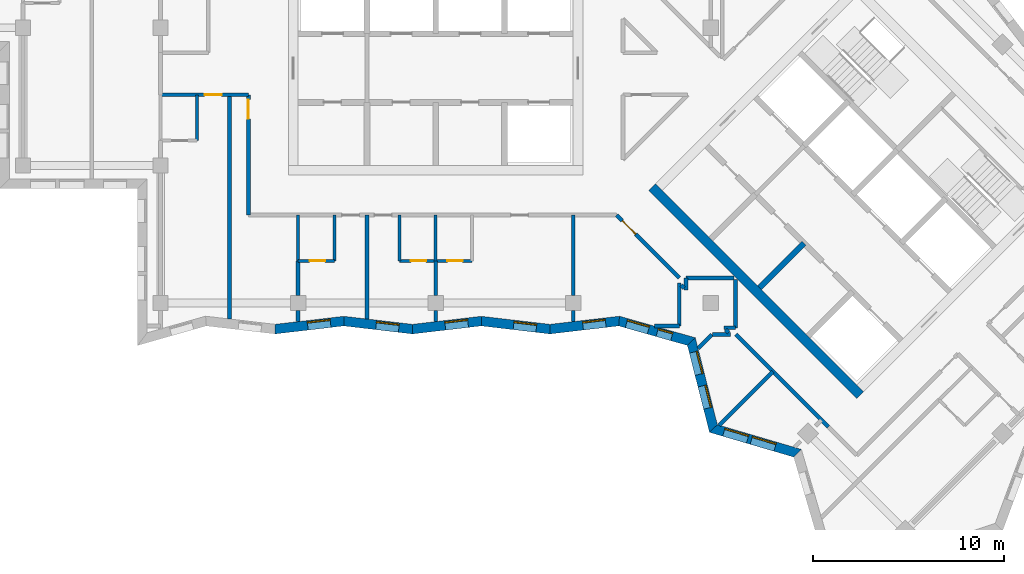
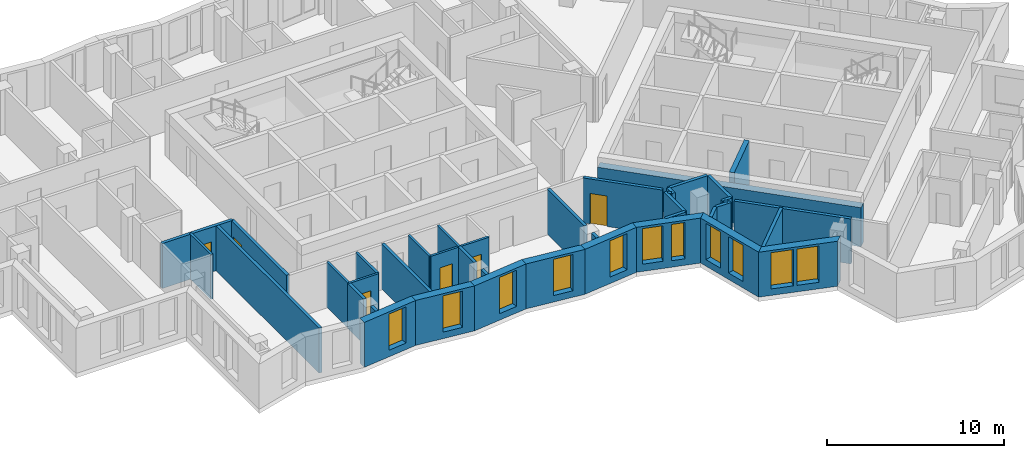
# One storey, part 3 of 13: 40 walls, 11 windows, 6 doors, 17 openings.
"""IFC4 building model written with IfcOpenShell, lengths in metres."""

import ifcopenshell
import ifcopenshell.guid

model = None  # the IFC model being written
_history = None  # IfcOwnerHistory: only IFC2X3 demands one
_inside = {}  # id of a spatial element -> (the spatial element, [elements in it])
_under = {}  # id of a project, library or spatial element -> (it, [spatial elements below it])
_declared = {}  # id of a project -> (the project, [libraries it declares])
_typed = {}  # id of a type object -> (the type object, [elements of that type])
_made_of = {}  # id of a material, layer set ... -> (it, [elements and type objects made of it])


def new_model(schema):
    """Start an empty IFC model of exactly this schema.

    Asked for "IFC4X3", IfcOpenShell would pick the latest addendum, in which some entities
    have other attributes; the version numbers below select the first issue.
    IFC2X3 requires an IfcOwnerHistory on every rooted entity: one is made here for all.
    """
    global model, _history
    if schema == "IFC4X3":
        model = ifcopenshell.file(schema_version=(4, 3, 0, 0))
    else:
        model = ifcopenshell.file(schema=schema)
    _inside.clear()
    _under.clear()
    _declared.clear()
    _typed.clear()
    _made_of.clear()
    _history = None
    if model.schema == "IFC2X3":
        org = make("IfcOrganization", Name="unknown")
        user = make(
            "IfcPersonAndOrganization",
            ThePerson=make("IfcPerson", FamilyName="unknown"),
            TheOrganization=org,
        )
        app = make(
            "IfcApplication",
            ApplicationDeveloper=org,
            Version="unknown",
            ApplicationFullName="unknown",
            ApplicationIdentifier="unknown",
        )
        _history = make(
            "IfcOwnerHistory",
            OwningUser=user,
            OwningApplication=app,
            ChangeAction="ADDED",
            CreationDate=0,
        )
    return model


def make(cls, **values):
    """One entity of the class cls with the attributes given. An attribute that is None is left unset."""
    return model.create_entity(
        cls, **{name: value for name, value in values.items() if value is not None}
    )


def rooted(cls, **values):
    """An entity with a GlobalId (a new one), such as an element, a storey or a relation."""
    return make(cls, GlobalId=ifcopenshell.guid.new(), OwnerHistory=_history, **values)


def si_unit(unit_type, name, prefix=None):
    """IfcSIUnit, for example si_unit("LENGTHUNIT", "METRE", prefix="MILLI")."""
    return make("IfcSIUnit", UnitType=unit_type, Prefix=prefix, Name=name)


def assignment(units):
    """IfcUnitAssignment: the units of a project."""
    return None if units is None else make("IfcUnitAssignment", Units=units)


def point(xyz):
    """IfcCartesianPoint."""
    return None if xyz is None else make("IfcCartesianPoint", Coordinates=xyz)


def direction(xyz):
    """IfcDirection."""
    return None if xyz is None else make("IfcDirection", DirectionRatios=xyz)


def frame(location, z_axis=None, x_axis=None):
    """IfcAxis2Placement3D, a coordinate frame: its origin and axes. An axis left out is left unset."""
    return make(
        "IfcAxis2Placement3D",
        Location=point(location),
        Axis=direction(z_axis),
        RefDirection=direction(x_axis),
    )


def frame_2d(location, x_axis=None):
    """IfcAxis2Placement2D, a coordinate frame in the plane: its origin and x axis."""
    return make(
        "IfcAxis2Placement2D", Location=point(location), RefDirection=direction(x_axis)
    )


def origin():
    """The frame at (0, 0, 0) with its axes left unset."""
    return frame((0.0, 0.0, 0.0))


def place(relative_to, where):
    """IfcLocalPlacement: puts the frame where relative to a parent placement (None: the world)."""
    return make(
        "IfcLocalPlacement", PlacementRelTo=relative_to, RelativePlacement=where
    )


def context(
    kind, dimensions, precision=None, world=None, true_north=None, identifier=None
):
    """IfcGeometricRepresentationContext, for example the 3D "Model" context."""
    return make(
        "IfcGeometricRepresentationContext",
        ContextIdentifier=identifier,
        ContextType=kind,
        CoordinateSpaceDimension=dimensions,
        Precision=precision,
        WorldCoordinateSystem=world,
        TrueNorth=true_north,
    )


def subcontext(parent, identifier, kind, view, scale=None):
    """IfcGeometricRepresentationSubContext, for example "Body" below "Model"."""
    return make(
        "IfcGeometricRepresentationSubContext",
        ContextIdentifier=identifier,
        ContextType=kind,
        ParentContext=parent,
        TargetScale=scale,
        TargetView=view,
    )


def project(units=None, contexts=None):
    """IfcProject with its units and contexts."""
    return rooted(
        "IfcProject",
        Name="project",
        RepresentationContexts=contexts,
        UnitsInContext=assignment(units),
    )


def spatial(cls, under=None, at=None, **own):
    """A site, building, storey or space (cls), placed at a placement, below another one or the project."""
    s = rooted(cls, ObjectPlacement=at, **own)
    if under is not None:
        _under.setdefault(under.id(), (under, []))[1].append(s)
    return s


def polyline(points):
    """IfcPolyline through the points."""
    return make("IfcPolyline", Points=[point(p) for p in points])


def profile(cls, at=None, kind="AREA", **sizes):
    """A parametric profile (cls). Its sizes go by their IFC names, for example OverallWidth=200.0."""
    return make(cls, ProfileType=kind, Position=at, **sizes)


def rectangle(**sizes):
    """IfcRectangleProfileDef."""
    return profile("IfcRectangleProfileDef", **sizes)


def outline(outer, holes=None, kind="AREA"):
    """IfcArbitraryClosedProfileDef: a profile drawn as a closed curve; with holes, ...WithVoids."""
    if holes is None:
        return make("IfcArbitraryClosedProfileDef", ProfileType=kind, OuterCurve=outer)
    return make(
        "IfcArbitraryProfileDefWithVoids",
        ProfileType=kind,
        OuterCurve=outer,
        InnerCurves=holes,
    )


def extrude(swept, where, along, depth):
    """IfcExtrudedAreaSolid: the profile swept, set in the frame where, extruded along a direction by depth."""
    return make(
        "IfcExtrudedAreaSolid",
        SweptArea=swept,
        Position=where,
        ExtrudedDirection=direction(along),
        Depth=depth,
    )


def shape(context_of_items, identifier, shape_type, items):
    """IfcShapeRepresentation: the items that make up one representation, for example the "Body"."""
    return make(
        "IfcShapeRepresentation",
        ContextOfItems=context_of_items,
        RepresentationIdentifier=identifier,
        RepresentationType=shape_type,
        Items=items,
    )


def material(Name=None, Category=None):
    """IfcMaterial."""
    return make("IfcMaterial", Name=Name, Category=Category)


def layer(
    of_material, thickness, ventilated=None, Name=None, Category=None, Priority=None
):
    """IfcMaterialLayer: one layer of a wall or slab, of a material (None: an air gap)."""
    return make(
        "IfcMaterialLayer",
        Material=of_material,
        LayerThickness=thickness,
        IsVentilated=ventilated,
        Name=Name,
        Category=Category,
        Priority=Priority,
    )


def layer_set(layers, Name=None):
    """IfcMaterialLayerSet."""
    return make("IfcMaterialLayerSet", MaterialLayers=layers, LayerSetName=Name)


def made_of(thing, what):
    """Note that an element or type object is made of a material, layer set ...; save() writes the relation."""
    if what is not None:
        _made_of.setdefault(what.id(), (what, []))[1].append(thing)
    return thing


def type_object(cls, material=None, **own):
    """A type object (cls), such as IfcWallType, which elements share."""
    return made_of(rooted(cls, **own), material)


def element(
    cls,
    number,
    at=None,
    inside=None,
    cuts=None,
    type_object=None,
    material=None,
    context=None,
    identifier="Body",
    shape_type=None,
    held_by="IfcProductDefinitionShape",
    body=None,
    shapes=None,
    **own,
):
    """One element of the class cls, such as IfcWall. Its Tag is "e" and its number.

    at: its placement. inside: the storey or other place that contains it. cuts: it is an
    opening in that element (IfcRelVoidsElement). A single representation is given by context,
    identifier, shape_type and body (its items); several are given by shapes. held_by: the class
    of the entity that holds the representations. save() writes the other relations.
    """
    e = rooted(cls, Tag="e%d" % number, ObjectPlacement=at, **own)
    if body is not None:
        shapes = [shape(context, identifier, shape_type, body)]
    if shapes is not None:
        e.Representation = make(held_by, Representations=shapes)
    if inside is not None:
        _inside.setdefault(inside.id(), (inside, []))[1].append(e)
    if cuts is not None:
        rooted(
            "IfcRelVoidsElement", RelatingBuildingElement=cuts, RelatedOpeningElement=e
        )
    if type_object is not None:
        _typed.setdefault(type_object.id(), (type_object, []))[1].append(e)
    return made_of(e, material)


def fill(opening, filler):
    """IfcRelFillsElement: the door or window that sits in an opening."""
    return rooted(
        "IfcRelFillsElement",
        RelatingOpeningElement=opening,
        RelatedBuildingElement=filler,
    )


def aggregate(whole, parts):
    """IfcRelAggregates: a whole, such as a stair, and the parts it consists of."""
    return rooted("IfcRelAggregates", RelatingObject=whole, RelatedObjects=parts)


def save(model, path):
    """Write the relations noted so far, then the file.

    IfcRelAggregates (storeys below a building ...), IfcRelContainedInSpatialStructure (elements
    in a storey), IfcRelDefinesByType, IfcRelAssociatesMaterial and IfcRelDeclares: one each for
    every whole, place, type object, material and project.
    """
    for whole, parts in _under.values():
        aggregate(whole, parts)
    for where, things in _inside.values():
        rooted(
            "IfcRelContainedInSpatialStructure",
            RelatedElements=things,
            RelatingStructure=where,
        )
    for kind, things in _typed.values():
        rooted("IfcRelDefinesByType", RelatedObjects=things, RelatingType=kind)
    for what, things in _made_of.values():
        rooted("IfcRelAssociatesMaterial", RelatedObjects=things, RelatingMaterial=what)
    for by, libraries in _declared.values():
        rooted("IfcRelDeclares", RelatingContext=by, RelatedDefinitions=libraries)
    model.write(path)


model = new_model("IFC4")

# Units and contexts
model_context = context("Model", 3, precision=1e-05, world=origin(), true_north=direction((0.0, 1.0)))
body_context = subcontext(model_context, "Body", "Model", "MODEL_VIEW")
ifc_project = project(units=[si_unit("LENGTHUNIT", "METRE"), si_unit("AREAUNIT", "SQUARE_METRE"), si_unit("VOLUMEUNIT", "CUBIC_METRE"), si_unit("PLANEANGLEUNIT", "RADIAN"), si_unit("MASSUNIT", "GRAM", prefix="KILO")], contexts=[model_context])

# Site, building, storey
site_placement = place(None, origin())
site = spatial("IfcSite", under=ifc_project, at=site_placement, CompositionType="ELEMENT")
building_placement = place(site_placement, origin())
building = spatial("IfcBuilding", under=site, at=building_placement, Name="Windrow Commons", CompositionType="ELEMENT")
storey_placement = place(building_placement, frame((0.0, 0.0, 203.2)))
storey = spatial("IfcBuildingStorey", under=building, at=storey_placement, Name="L55", CompositionType="ELEMENT", Elevation=203.2)

# Wall, opening, window
ifc_material_1 = material(Name="Brick masonry, red clay brick", Category="masonry")
ifc_layer_1 = layer(ifc_material_1, 0.5)
ifc_layer_set_1 = layer_set([ifc_layer_1], Name="Brick facade wall 500")
wall_type_1 = type_object("IfcWallType", Name="Brick facade wall 500", PredefinedType="SOLIDWALL", material=ifc_layer_set_1)
wall_1_placement = place(storey_placement, frame((56.3942, 41.8307, 0.0), z_axis=(0.0, 0.0, 1.0), x_axis=(0.9932205385, 0.1162452661, 0.0)))
wall_1 = element("IfcWall", 1, at=wall_1_placement, inside=storey, type_object=wall_type_1, Name="Brick facade wall L55 42", PredefinedType="SOLIDWALL", context=body_context, shape_type="SweptSolid", body=[
    extrude(outline(polyline([(-0.0293, -0.25), (3.5924, -0.25), (3.6509, 0.25), (0.0293, 0.25), (-0.0293, -0.25)])), origin(), (0.0, 0.0, 1.0), 3.1),
])
opening_1_placement = place(wall_1_placement, frame((1.7178, 0.0, 0.45)))
opening_1 = element("IfcOpeningElement", 2, at=opening_1_placement, cuts=wall_1, Name="Opening W7E", PredefinedType="OPENING", context=body_context, shape_type="SweptSolid", body=[
    extrude(rectangle(XDim=1.2, YDim=2.5, at=frame_2d((0.6, 1.25))), frame((0.0, 0.26, 0.0), z_axis=(0.0, -1.0, 0.0), x_axis=(1.0, 0.0, 0.0)), (0.0, 0.0, 1.0), 0.52),
])
ifc_material_2 = material(Name="Clear float glass in anodised aluminium frame", Category="aluminium")
window_type_1 = type_object("IfcWindowType", Name="Window W7 notch 1200x2500", PartitioningType="SINGLE_PANEL", PredefinedType="WINDOW", material=ifc_material_2)
window_1_placement = place(opening_1_placement, origin())
window_1 = element("IfcWindow", 3, at=window_1_placement, inside=storey, type_object=window_type_1, Name="Window L55 42.1", OverallHeight=2.5, OverallWidth=1.2, PartitioningType="SINGLE_PANEL", PredefinedType="WINDOW", context=body_context, shape_type="SweptSolid", body=[
    extrude(rectangle(XDim=1.2, YDim=2.5, at=frame_2d((0.6, 1.25))), frame((0.0, 0.18, 0.0), z_axis=(0.0, -1.0, 0.0), x_axis=(1.0, 0.0, 0.0)), (0.0, 0.0, 1.0), 0.06),
])
fill(opening_1, window_1)

wall_2_placement = place(storey_placement, frame((59.9913, 42.2517, 0.0), z_axis=(0.0, 0.0, 1.0), x_axis=(0.9932209116, -0.1162420782, 0.0)))
wall_2 = element("IfcWall", 4, at=wall_2_placement, inside=storey, type_object=wall_type_1, Name="Brick facade wall L55 43", PredefinedType="SOLIDWALL", context=body_context, shape_type="SweptSolid", body=[
    extrude(outline(polyline([(0.0293, -0.25), (3.6509, -0.25), (3.5924, 0.25), (-0.0293, 0.25), (0.0293, -0.25)])), origin(), (0.0, 0.0, 1.0), 3.1),
])
opening_2_placement = place(wall_2_placement, frame((1.7047, 0.0, 0.45)))
opening_2 = element("IfcOpeningElement", 5, at=opening_2_placement, cuts=wall_2, Name="Opening W7E", PredefinedType="OPENING", context=body_context, shape_type="SweptSolid", body=[
    extrude(rectangle(XDim=1.2, YDim=2.5, at=frame_2d((0.6, 1.25))), frame((0.0, 0.26, 0.0), z_axis=(0.0, -1.0, 0.0), x_axis=(1.0, 0.0, 0.0)), (0.0, 0.0, 1.0), 0.52),
])
window_2_placement = place(opening_2_placement, origin())
window_2 = element("IfcWindow", 6, at=window_2_placement, inside=storey, type_object=window_type_1, Name="Window L55 43.1", OverallHeight=2.5, OverallWidth=1.2, PartitioningType="SINGLE_PANEL", PredefinedType="WINDOW", context=body_context, shape_type="SweptSolid", body=[
    extrude(rectangle(XDim=1.2, YDim=2.5, at=frame_2d((0.6, 1.25))), frame((0.0, 0.18, 0.0), z_axis=(0.0, -1.0, 0.0), x_axis=(1.0, 0.0, 0.0)), (0.0, 0.0, 1.0), 0.06),
])
fill(opening_2, window_2)

wall_3_placement = place(storey_placement, frame((63.5885, 41.8307, 0.0), z_axis=(0.0, 0.0, 1.0), x_axis=(0.9932205385, 0.1162452661, 0.0)))
wall_3 = element("IfcWall", 7, at=wall_3_placement, inside=storey, type_object=wall_type_1, Name="Brick facade wall L55 44", PredefinedType="SOLIDWALL", context=body_context, shape_type="SweptSolid", body=[
    extrude(outline(polyline([(-0.0293, -0.25), (3.5924, -0.25), (3.6509, 0.25), (0.0293, 0.25), (-0.0293, -0.25)])), origin(), (0.0, 0.0, 1.0), 3.1),
])
opening_3_placement = place(wall_3_placement, frame((1.7207, 0.0, 0.45)))
opening_3 = element("IfcOpeningElement", 8, at=opening_3_placement, cuts=wall_3, Name="Opening W7E", PredefinedType="OPENING", context=body_context, shape_type="SweptSolid", body=[
    extrude(rectangle(XDim=1.2, YDim=2.5, at=frame_2d((0.6, 1.25))), frame((0.0, 0.26, 0.0), z_axis=(0.0, -1.0, 0.0), x_axis=(1.0, 0.0, 0.0)), (0.0, 0.0, 1.0), 0.52),
])
window_3_placement = place(opening_3_placement, origin())
window_3 = element("IfcWindow", 9, at=window_3_placement, inside=storey, type_object=window_type_1, Name="Window L55 44.1", OverallHeight=2.5, OverallWidth=1.2, PartitioningType="SINGLE_PANEL", PredefinedType="WINDOW", context=body_context, shape_type="SweptSolid", body=[
    extrude(rectangle(XDim=1.2, YDim=2.5, at=frame_2d((0.6, 1.25))), frame((0.0, 0.18, 0.0), z_axis=(0.0, -1.0, 0.0), x_axis=(1.0, 0.0, 0.0)), (0.0, 0.0, 1.0), 0.06),
])
fill(opening_3, window_3)

wall_4_placement = place(storey_placement, frame((67.1856, 42.2517, 0.0), z_axis=(0.0, 0.0, 1.0), x_axis=(0.9932205385, -0.1162452661, 0.0)))
wall_4 = element("IfcWall", 10, at=wall_4_placement, inside=storey, type_object=wall_type_1, Name="Brick facade wall L55 45", PredefinedType="SOLIDWALL", context=body_context, shape_type="SweptSolid", body=[
    extrude(outline(polyline([(0.0293, -0.25), (3.6509, -0.25), (3.5924, 0.25), (-0.0293, 0.25), (0.0293, -0.25)])), origin(), (0.0, 0.0, 1.0), 3.1),
])
opening_4_placement = place(wall_4_placement, frame((1.7076, 0.0, 0.45)))
opening_4 = element("IfcOpeningElement", 11, at=opening_4_placement, cuts=wall_4, Name="Opening W7E", PredefinedType="OPENING", context=body_context, shape_type="SweptSolid", body=[
    extrude(rectangle(XDim=1.2, YDim=2.5, at=frame_2d((0.6, 1.25))), frame((0.0, 0.26, 0.0), z_axis=(0.0, -1.0, 0.0), x_axis=(1.0, 0.0, 0.0)), (0.0, 0.0, 1.0), 0.52),
])
window_4_placement = place(opening_4_placement, origin())
window_4 = element("IfcWindow", 12, at=window_4_placement, inside=storey, type_object=window_type_1, Name="Window L55 45.1", OverallHeight=2.5, OverallWidth=1.2, PartitioningType="SINGLE_PANEL", PredefinedType="WINDOW", context=body_context, shape_type="SweptSolid", body=[
    extrude(rectangle(XDim=1.2, YDim=2.5, at=frame_2d((0.6, 1.25))), frame((0.0, 0.18, 0.0), z_axis=(0.0, -1.0, 0.0), x_axis=(1.0, 0.0, 0.0)), (0.0, 0.0, 1.0), 0.06),
])
fill(opening_4, window_4)

wall_5_placement = place(storey_placement, frame((70.7827, 41.8307, 0.0), z_axis=(0.0, 0.0, 1.0), x_axis=(0.9932201451, 0.1162486273, 0.0)))
wall_5 = element("IfcWall", 13, at=wall_5_placement, inside=storey, type_object=wall_type_1, Name="Brick facade wall L55 46", PredefinedType="SOLIDWALL", context=body_context, shape_type="SweptSolid", body=[
    extrude(outline(polyline([(-0.0293, -0.25), (3.5924, -0.25), (3.692, 0.25), (0.0293, 0.25), (-0.0293, -0.25)])), origin(), (0.0, 0.0, 1.0), 3.1),
])
opening_5_placement = place(wall_5_placement, frame((1.7339, 0.0, 0.45)))
opening_5 = element("IfcOpeningElement", 14, at=opening_5_placement, cuts=wall_5, Name="Opening W7E", PredefinedType="OPENING", context=body_context, shape_type="SweptSolid", body=[
    extrude(rectangle(XDim=1.2, YDim=2.5, at=frame_2d((0.6, 1.25))), frame((0.0, 0.26, 0.0), z_axis=(0.0, -1.0, 0.0), x_axis=(1.0, 0.0, 0.0)), (0.0, 0.0, 1.0), 0.52),
])
window_5_placement = place(opening_5_placement, origin())
window_5 = element("IfcWindow", 15, at=window_5_placement, inside=storey, type_object=window_type_1, Name="Window L55 46.1", OverallHeight=2.5, OverallWidth=1.2, PartitioningType="SINGLE_PANEL", PredefinedType="WINDOW", context=body_context, shape_type="SweptSolid", body=[
    extrude(rectangle(XDim=1.2, YDim=2.5, at=frame_2d((0.6, 1.25))), frame((0.0, 0.18, 0.0), z_axis=(0.0, -1.0, 0.0), x_axis=(1.0, 0.0, 0.0)), (0.0, 0.0, 1.0), 0.06),
])
fill(opening_5, window_5)

# Wall, openings, windows
wall_6_placement = place(storey_placement, frame((74.4002, 42.2541, 0.0), z_axis=(0.0, 0.0, 1.0), x_axis=(0.9620012555, -0.2730450228, 0.0)))
wall_6 = element("IfcWall", 16, at=wall_6_placement, inside=storey, type_object=wall_type_1, Name="Brick facade wall L55 47", PredefinedType="SOLIDWALL", context=body_context, shape_type="SweptSolid", body=[
    extrude(outline(polyline([(0.0498, -0.25), (3.789, -0.25), (4.0772, 0.25), (-0.0498, 0.25), (0.0498, -0.25)])), origin(), (0.0, 0.0, 1.0), 3.1),
])
opening_6_placement = place(wall_6_placement, frame((0.4045, 0.0, 0.5)))
opening_6 = element("IfcOpeningElement", 17, at=opening_6_placement, cuts=wall_6, Name="Opening W7D", PredefinedType="OPENING", context=body_context, shape_type="SweptSolid", body=[
    extrude(rectangle(XDim=1.2, YDim=2.45, at=frame_2d((0.6, 1.225))), frame((0.0, 0.26, 0.0), z_axis=(0.0, -1.0, 0.0), x_axis=(1.0, 0.0, 0.0)), (0.0, 0.0, 1.0), 0.52),
])
opening_7_placement = place(wall_6_placement, frame((2.0795, 0.0, 0.45)))
opening_7 = element("IfcOpeningElement", 18, at=opening_7_placement, cuts=wall_6, Name="Opening W1N", PredefinedType="OPENING", context=body_context, shape_type="SweptSolid", body=[
    extrude(rectangle(XDim=0.8, YDim=2.5, at=frame_2d((0.4, 1.25))), frame((0.0, 0.26, 0.0), z_axis=(0.0, -1.0, 0.0), x_axis=(1.0, 0.0, 0.0)), (0.0, 0.0, 1.0), 0.52),
])
ifc_material_3 = material(Name="Clear float glass in anodised aluminium frame", Category="aluminium")
window_type_2 = type_object("IfcWindowType", Name="Window W1N slit 800x2500", PartitioningType="SINGLE_PANEL", PredefinedType="WINDOW", material=ifc_material_3)
window_6_placement = place(opening_7_placement, origin())
window_6 = element("IfcWindow", 19, at=window_6_placement, inside=storey, type_object=window_type_2, Name="Window L55 47.1B", OverallHeight=2.5, OverallWidth=0.8, PartitioningType="SINGLE_PANEL", PredefinedType="WINDOW", context=body_context, shape_type="SweptSolid", body=[
    extrude(rectangle(XDim=0.8, YDim=2.5, at=frame_2d((0.4, 1.25))), frame((0.0, 0.18, 0.0), z_axis=(0.0, -1.0, 0.0), x_axis=(1.0, 0.0, 0.0)), (0.0, 0.0, 1.0), 0.06),
])
fill(opening_7, window_6)
ifc_material_4 = material(Name="Clear float glass in anodised aluminium frame", Category="aluminium")
window_type_3 = type_object("IfcWindowType", Name="Window W7 notch 1200x2450", PartitioningType="SINGLE_PANEL", PredefinedType="WINDOW", material=ifc_material_4)
window_7_placement = place(opening_6_placement, origin())
window_7 = element("IfcWindow", 20, at=window_7_placement, inside=storey, type_object=window_type_3, Name="Window L55 47.1A", OverallHeight=2.45, OverallWidth=1.2, PartitioningType="SINGLE_PANEL", PredefinedType="WINDOW", context=body_context, shape_type="SweptSolid", body=[
    extrude(rectangle(XDim=1.2, YDim=2.45, at=frame_2d((0.6, 1.225))), frame((0.0, 0.18, 0.0), z_axis=(0.0, -1.0, 0.0), x_axis=(1.0, 0.0, 0.0)), (0.0, 0.0, 1.0), 0.06),
])
fill(opening_6, window_7)

wall_7_placement = place(storey_placement, frame((78.1838, 41.1802, 0.0), z_axis=(0.0, 0.0, 1.0), x_axis=(0.2459826289, -0.9692742369, 0.0)))
wall_7 = element("IfcWall", 21, at=wall_7_placement, inside=storey, type_object=wall_type_1, Name="Brick facade wall L55 48", PredefinedType="SOLIDWALL", context=body_context, shape_type="SweptSolid", body=[
    extrude(outline(polyline([(0.1441, -0.25), (4.8367, -0.25), (4.5516, 0.25), (-0.1441, 0.25), (0.1441, -0.25)])), origin(), (0.0, 0.0, 1.0), 3.1),
])
opening_8_placement = place(wall_7_placement, frame((0.5651, 0.0, 0.45)))
opening_8 = element("IfcOpeningElement", 22, at=opening_8_placement, cuts=wall_7, Name="Opening W7E", PredefinedType="OPENING", context=body_context, shape_type="SweptSolid", body=[
    extrude(rectangle(XDim=1.2, YDim=2.5, at=frame_2d((0.6, 1.25))), frame((0.0, 0.26, 0.0), z_axis=(0.0, -1.0, 0.0), x_axis=(1.0, 0.0, 0.0)), (0.0, 0.0, 1.0), 0.52),
])
opening_9_placement = place(wall_7_placement, frame((2.3909, 0.0, 0.45)))
opening_9 = element("IfcOpeningElement", 23, at=opening_9_placement, cuts=wall_7, Name="Opening W7E", PredefinedType="OPENING", context=body_context, shape_type="SweptSolid", body=[
    extrude(rectangle(XDim=1.2, YDim=2.5, at=frame_2d((0.6, 1.25))), frame((0.0, 0.26, 0.0), z_axis=(0.0, -1.0, 0.0), x_axis=(1.0, 0.0, 0.0)), (0.0, 0.0, 1.0), 0.52),
])
window_8_placement = place(opening_8_placement, origin())
window_8 = element("IfcWindow", 24, at=window_8_placement, inside=storey, type_object=window_type_1, Name="Window L55 48.1", OverallHeight=2.5, OverallWidth=1.2, PartitioningType="SINGLE_PANEL", PredefinedType="WINDOW", context=body_context, shape_type="SweptSolid", body=[
    extrude(rectangle(XDim=1.2, YDim=2.5, at=frame_2d((0.6, 1.25))), frame((0.0, 0.18, 0.0), z_axis=(0.0, -1.0, 0.0), x_axis=(1.0, 0.0, 0.0)), (0.0, 0.0, 1.0), 0.06),
])
fill(opening_8, window_8)
window_9_placement = place(opening_9_placement, origin())
window_9 = element("IfcWindow", 25, at=window_9_placement, inside=storey, type_object=window_type_1, Name="Window L55 48.2", OverallHeight=2.5, OverallWidth=1.2, PartitioningType="SINGLE_PANEL", PredefinedType="WINDOW", context=body_context, shape_type="SweptSolid", body=[
    extrude(rectangle(XDim=1.2, YDim=2.5, at=frame_2d((0.6, 1.25))), frame((0.0, 0.18, 0.0), z_axis=(0.0, -1.0, 0.0), x_axis=(1.0, 0.0, 0.0)), (0.0, 0.0, 1.0), 0.06),
])
fill(opening_9, window_9)

wall_8_placement = place(storey_placement, frame((79.3385, 36.6302, 0.0), z_axis=(0.0, 0.0, 1.0), x_axis=(0.9593974303, -0.2820577435, 0.0)))
wall_8 = element("IfcWall", 26, at=wall_8_placement, inside=storey, type_object=wall_type_1, Name="Brick facade wall L55 49", PredefinedType="SOLIDWALL", context=body_context, shape_type="SweptSolid", body=[
    extrude(outline(polyline([(-0.1425, -0.25), (4.451, -0.25), (4.7238, 0.25), (0.1425, 0.25), (-0.1425, -0.25)])), origin(), (0.0, 0.0, 1.0), 3.1),
])
opening_10_placement = place(wall_8_placement, frame((0.5753, 0.0, 0.45)))
opening_10 = element("IfcOpeningElement", 27, at=opening_10_placement, cuts=wall_8, Name="Opening W1Q", PredefinedType="OPENING", context=body_context, shape_type="SweptSolid", body=[
    extrude(rectangle(XDim=1.3, YDim=2.5, at=frame_2d((0.65, 1.25))), frame((0.0, 0.26, 0.0), z_axis=(0.0, -1.0, 0.0), x_axis=(1.0, 0.0, 0.0)), (0.0, 0.0, 1.0), 0.52),
])
opening_11_placement = place(wall_8_placement, frame((2.0753, 0.0, 0.45)))
opening_11 = element("IfcOpeningElement", 28, at=opening_11_placement, cuts=wall_8, Name="Opening W1Q", PredefinedType="OPENING", context=body_context, shape_type="SweptSolid", body=[
    extrude(rectangle(XDim=1.3, YDim=2.5, at=frame_2d((0.65, 1.25))), frame((0.0, 0.26, 0.0), z_axis=(0.0, -1.0, 0.0), x_axis=(1.0, 0.0, 0.0)), (0.0, 0.0, 1.0), 0.52),
])
ifc_material_5 = material(Name="Clear float glass in anodised aluminium frame", Category="aluminium")
window_type_4 = type_object("IfcWindowType", Name="Window W1Q pair 1300x2500", PartitioningType="SINGLE_PANEL", PredefinedType="WINDOW", material=ifc_material_5)
window_10_placement = place(opening_10_placement, origin())
window_10 = element("IfcWindow", 29, at=window_10_placement, inside=storey, type_object=window_type_4, Name="Window L55 49.1A", OverallHeight=2.5, OverallWidth=1.3, PartitioningType="SINGLE_PANEL", PredefinedType="WINDOW", context=body_context, shape_type="SweptSolid", body=[
    extrude(rectangle(XDim=1.3, YDim=2.5, at=frame_2d((0.65, 1.25))), frame((0.0, 0.18, 0.0), z_axis=(0.0, -1.0, 0.0), x_axis=(1.0, 0.0, 0.0)), (0.0, 0.0, 1.0), 0.06),
])
fill(opening_10, window_10)
window_11_placement = place(opening_11_placement, origin())
window_11 = element("IfcWindow", 30, at=window_11_placement, inside=storey, type_object=window_type_4, Name="Window L55 49.1B", OverallHeight=2.5, OverallWidth=1.3, PartitioningType="SINGLE_PANEL", PredefinedType="WINDOW", context=body_context, shape_type="SweptSolid", body=[
    extrude(rectangle(XDim=1.3, YDim=2.5, at=frame_2d((0.65, 1.25))), frame((0.0, 0.18, 0.0), z_axis=(0.0, -1.0, 0.0), x_axis=(1.0, 0.0, 0.0)), (0.0, 0.0, 1.0), 0.06),
])
fill(opening_11, window_11)

# Wall
ifc_material_6 = material(Name="Blockwork partition", Category="masonry")
ifc_layer_2 = layer(ifc_material_6, 0.2)
ifc_layer_set_2 = layer_set([ifc_layer_2], Name="IW-CORRIDOR-200")
wall_type_2 = type_object("IfcWallType", Name="IW-CORRIDOR-200", PredefinedType="PARTITIONING", material=ifc_layer_set_2)
wall_9_placement = place(storey_placement, frame((80.5215, 41.5535, 0.0), z_axis=(0.0, 0.0, 1.0), x_axis=(0.7071067812, -0.7071067812, 0.0)))
element("IfcWall", 31, at=wall_9_placement, inside=storey, type_object=wall_type_2, Name="W-L55-W014", PredefinedType="PARTITIONING", context=body_context, shape_type="SweptSolid", body=[
    extrude(rectangle(XDim=6.8363, YDim=0.2, at=frame_2d((3.4181, 0.0))), origin(), (0.0, 0.0, 1.0), 3.1),
])

# Wall, opening, door
wall_10_placement = place(storey_placement, frame((55.0, 47.8, 0.0), z_axis=(0.0, 0.0, 1.0), x_axis=(0.0, 1.0, 0.0)))
wall_10 = element("IfcWall", 32, at=wall_10_placement, inside=storey, type_object=wall_type_2, Name="W-L55-W024", PredefinedType="PARTITIONING", context=body_context, shape_type="SweptSolid", body=[
    extrude(rectangle(XDim=6.3, YDim=0.2, at=frame_2d((3.15, 0.0))), origin(), (0.0, 0.0, 1.0), 3.1),
])
opening_12_placement = place(wall_10_placement, frame((5.0407, 0.0, 0.0)))
opening_12 = element("IfcOpeningElement", 33, at=opening_12_placement, cuts=wall_10, Name="Opening D310F", PredefinedType="OPENING", context=body_context, shape_type="SweptSolid", body=[
    extrude(rectangle(XDim=1.0, YDim=2.1, at=frame_2d((0.5, 1.05))), frame((0.0, 0.11, 0.0), z_axis=(0.0, -1.0, 0.0), x_axis=(1.0, 0.0, 0.0)), (0.0, 0.0, 1.0), 0.22),
])
ifc_material_7 = material(Name="Timber door leaf", Category="wood")
door_type_1 = type_object("IfcDoorType", Name="DT-AMENITY-1000", OperationType="SINGLE_SWING_LEFT", PredefinedType="DOOR", material=ifc_material_7)
door_1_placement = place(opening_12_placement, origin())
door_1 = element("IfcDoor", 34, at=door_1_placement, inside=storey, type_object=door_type_1, Name="D-L55-D031", OperationType="SINGLE_SWING_RIGHT", OverallHeight=2.1, OverallWidth=1.0, PredefinedType="DOOR", context=body_context, shape_type="SweptSolid", body=[
    extrude(rectangle(XDim=1.0, YDim=2.1, at=frame_2d((0.5, 1.05))), frame((0.0, 0.025, 0.0), z_axis=(0.0, -1.0, 0.0), x_axis=(1.0, 0.0, 0.0)), (0.0, 0.0, 1.0), 0.05),
])
fill(opening_12, door_1)

wall_11_placement = place(storey_placement, frame((74.2715, 47.8035, 0.0), z_axis=(0.0, 0.0, 1.0), x_axis=(0.7071067812, -0.7071067812, 0.0)))
wall_11 = element("IfcWall", 35, at=wall_11_placement, inside=storey, type_object=wall_type_2, Name="W-L55-W032", PredefinedType="PARTITIONING", context=body_context, shape_type="SweptSolid", body=[
    extrude(rectangle(XDim=4.6414, YDim=0.2, at=frame_2d((2.3207, 0.0))), origin(), (0.0, 0.0, 1.0), 3.1),
])
opening_13_placement = place(wall_11_placement, frame((0.4161, 0.0, 0.0)))
opening_13 = element("IfcOpeningElement", 36, at=opening_13_placement, cuts=wall_11, Name="Opening D310F", PredefinedType="OPENING", context=body_context, shape_type="SweptSolid", body=[
    extrude(rectangle(XDim=1.0, YDim=2.1, at=frame_2d((0.5, 1.05))), frame((0.0, 0.11, 0.0), z_axis=(0.0, -1.0, 0.0), x_axis=(1.0, 0.0, 0.0)), (0.0, 0.0, 1.0), 0.22),
])
door_2_placement = place(opening_13_placement, origin())
door_2 = element("IfcDoor", 37, at=door_2_placement, inside=storey, type_object=door_type_1, Name="D-L55-D042", OperationType="SINGLE_SWING_LEFT", OverallHeight=2.1, OverallWidth=1.0, PredefinedType="DOOR", context=body_context, shape_type="SweptSolid", body=[
    extrude(rectangle(XDim=1.0, YDim=2.1, at=frame_2d((0.5, 1.05))), frame((0.0, 0.025, 0.0), z_axis=(0.0, -1.0, 0.0), x_axis=(1.0, 0.0, 0.0)), (0.0, 0.0, 1.0), 0.05),
])
fill(opening_13, door_2)

wall_12_placement = place(storey_placement, frame((50.4, 54.1, 0.0), z_axis=(0.0, 0.0, 1.0), x_axis=(1.0, 0.0, 0.0)))
wall_12 = element("IfcWall", 38, at=wall_12_placement, inside=storey, type_object=wall_type_2, Name="W-L55-W033", PredefinedType="PARTITIONING", context=body_context, shape_type="SweptSolid", body=[
    extrude(rectangle(XDim=4.6, YDim=0.2, at=frame_2d((2.3, 0.0))), origin(), (0.0, 0.0, 1.0), 3.1),
])
opening_14_placement = place(wall_12_placement, frame((2.3, 0.0, 0.0)))
opening_14 = element("IfcOpeningElement", 39, at=opening_14_placement, cuts=wall_12, Name="Opening D109S", PredefinedType="OPENING", context=body_context, shape_type="SweptSolid", body=[
    extrude(rectangle(XDim=0.9, YDim=2.1, at=frame_2d((0.45, 1.05))), frame((0.0, 0.11, 0.0), z_axis=(0.0, -1.0, 0.0), x_axis=(1.0, 0.0, 0.0)), (0.0, 0.0, 1.0), 0.22),
])
ifc_material_8 = material(Name="Timber door leaf", Category="wood")
door_type_2 = type_object("IfcDoorType", Name="DT-BEDROOM-900", OperationType="SINGLE_SWING_LEFT", PredefinedType="DOOR", material=ifc_material_8)
door_3_placement = place(opening_14_placement, origin())
door_3 = element("IfcDoor", 40, at=door_3_placement, inside=storey, type_object=door_type_2, Name="D-L55-D029", OperationType="SINGLE_SWING_LEFT", OverallHeight=2.1, OverallWidth=0.9, PredefinedType="DOOR", context=body_context, shape_type="SweptSolid", body=[
    extrude(rectangle(XDim=0.9, YDim=2.1, at=frame_2d((0.45, 1.05))), frame((0.0, 0.025, 0.0), z_axis=(0.0, -1.0, 0.0), x_axis=(1.0, 0.0, 0.0)), (0.0, 0.0, 1.0), 0.05),
])
fill(opening_14, door_3)

# Walls
for number, where, z_axis, x_axis, name in (
    (41, (77.902, 44.5, 0.0), (0.0, 0.0, 1.0), (1.0, 0.0, 0.0), "W-L55-W054"),
    (42, (80.5, 41.902, 0.0), (0.0, 0.0, 1.0), (0.0, 1.0, 0.0), "W-L55-W055"),
):
    element("IfcWall", number, at=place(storey_placement, frame(where, z_axis=z_axis, x_axis=x_axis)), inside=storey, type_object=wall_type_2, Name=name, PredefinedType="PARTITIONING", context=body_context, shape_type="SweptSolid", body=[
        extrude(rectangle(XDim=2.522, YDim=0.2, at=frame_2d((1.261, 0.0))), origin(), (0.0, 0.0, 1.0), 3.1),
    ])
for number, where, z_axis, x_axis, name in (
    (43, (77.9, 43.884, 0.0), (0.0, 0.0, 1.0), (0.0, 1.0, 0.0), "W-L55-W157"),
    (44, (79.884, 41.9, 0.0), (0.0, 0.0, 1.0), (1.0, 0.0, 0.0), "W-L55-W158"),
):
    element("IfcWall", number, at=place(storey_placement, frame(where, z_axis=z_axis, x_axis=x_axis)), inside=storey, type_object=wall_type_2, Name=name, PredefinedType="PARTITIONING", context=body_context, shape_type="SweptSolid", body=[
        extrude(rectangle(XDim=0.616, YDim=0.2, at=frame_2d((0.308, 0.0))), origin(), (0.0, 0.0, 1.0), 3.1),
    ])
for number, where, z_axis, x_axis, name in (
    (45, (79.9729, 41.805, 0.0), (0.0, 0.0, 1.0), (0.707329037, -0.7068844555, 0.0), "W-L55-W169"),
    (46, (77.646, 44.132, 0.0), (0.0, 0.0, 1.0), (0.7068844555, -0.707329037, 0.0), "W-L55-W170"),
):
    element("IfcWall", number, at=place(storey_placement, frame(where, z_axis=z_axis, x_axis=x_axis)), inside=storey, type_object=wall_type_2, Name=name, PredefinedType="PARTITIONING", context=body_context, shape_type="SweptSolid", body=[
        extrude(rectangle(XDim=0.2249, YDim=0.2, at=frame_2d((0.1124, 0.0))), origin(), (0.0, 0.0, 1.0), 3.1),
    ])

# Wall, openings, doors
ifc_material_9 = material(Name="Blockwork partition", Category="masonry")
ifc_layer_3 = layer(ifc_material_9, 0.15)
ifc_layer_set_3 = layer_set([ifc_layer_3], Name="IW-ENSUITE-150")
wall_type_3 = type_object("IfcWallType", Name="IW-ENSUITE-150", PredefinedType="PARTITIONING", material=ifc_layer_set_3)
wall_13_placement = place(storey_placement, frame((62.9, 45.4, 0.0), z_axis=(0.0, 0.0, 1.0), x_axis=(1.0, 0.0, 0.0)))
wall_13 = element("IfcWall", 47, at=wall_13_placement, inside=storey, type_object=wall_type_3, Name="W-L55-W044", PredefinedType="PARTITIONING", context=body_context, shape_type="SweptSolid", body=[
    extrude(rectangle(XDim=3.8, YDim=0.15, at=frame_2d((1.9, 0.0))), origin(), (0.0, 0.0, 1.0), 3.1),
])
opening_15_placement = place(wall_13_placement, frame((0.5979, 0.0, 0.0)))
opening_15 = element("IfcOpeningElement", 48, at=opening_15_placement, cuts=wall_13, Name="Opening D208N", PredefinedType="OPENING", context=body_context, shape_type="SweptSolid", body=[
    extrude(rectangle(XDim=0.8, YDim=2.1, at=frame_2d((0.4, 1.05))), frame((0.0, 0.085, 0.0), z_axis=(0.0, -1.0, 0.0), x_axis=(1.0, 0.0, 0.0)), (0.0, 0.0, 1.0), 0.17),
])
opening_16_placement = place(wall_13_placement, frame((2.5069, 0.0, 0.0)))
opening_16 = element("IfcOpeningElement", 49, at=opening_16_placement, cuts=wall_13, Name="Opening D208N", PredefinedType="OPENING", context=body_context, shape_type="SweptSolid", body=[
    extrude(rectangle(XDim=0.8, YDim=2.1, at=frame_2d((0.4, 1.05))), frame((0.0, 0.085, 0.0), z_axis=(0.0, -1.0, 0.0), x_axis=(1.0, 0.0, 0.0)), (0.0, 0.0, 1.0), 0.17),
])
ifc_material_10 = material(Name="Timber door leaf", Category="wood")
door_type_3 = type_object("IfcDoorType", Name="DT-ENSUITE-800", OperationType="SINGLE_SWING_LEFT", PredefinedType="DOOR", material=ifc_material_10)
door_4_placement = place(opening_15_placement, origin())
door_4 = element("IfcDoor", 50, at=door_4_placement, inside=storey, type_object=door_type_3, Name="D-L55-D039", OperationType="SINGLE_SWING_RIGHT", OverallHeight=2.1, OverallWidth=0.8, PredefinedType="DOOR", context=body_context, shape_type="SweptSolid", body=[
    extrude(rectangle(XDim=0.8, YDim=2.1, at=frame_2d((0.4, 1.05))), frame((0.0, 0.025, 0.0), z_axis=(0.0, -1.0, 0.0), x_axis=(1.0, 0.0, 0.0)), (0.0, 0.0, 1.0), 0.05),
])
fill(opening_15, door_4)
door_5_placement = place(opening_16_placement, origin())
door_5 = element("IfcDoor", 51, at=door_5_placement, inside=storey, type_object=door_type_3, Name="D-L55-D041", OperationType="SINGLE_SWING_RIGHT", OverallHeight=2.1, OverallWidth=0.8, PredefinedType="DOOR", context=body_context, shape_type="SweptSolid", body=[
    extrude(rectangle(XDim=0.8, YDim=2.1, at=frame_2d((0.4, 1.05))), frame((0.0, 0.025, 0.0), z_axis=(0.0, -1.0, 0.0), x_axis=(1.0, 0.0, 0.0)), (0.0, 0.0, 1.0), 0.05),
])
fill(opening_16, door_5)

# Walls
for number, where, z_axis, x_axis, name in (
    (52, (52.3, 51.7, 0.0), (0.0, 0.0, 1.0), (0.0, 1.0, 0.0), "W-L55-W078"),
    (53, (59.5, 45.4, 0.0), (0.0, 0.0, 1.0), (0.0, 1.0, 0.0), "W-L55-W080"),
    (54, (57.6, 45.4, 0.0), (0.0, 0.0, 1.0), (0.0, 1.0, 0.0), "W-L55-W081"),
    (55, (62.9, 45.4, 0.0), (0.0, 0.0, 1.0), (0.0, 1.0, 0.0), "W-L55-W082"),
    (56, (64.8, 45.4, 0.0), (0.0, 0.0, 1.0), (0.0, 1.0, 0.0), "W-L55-W084"),
):
    element("IfcWall", number, at=place(storey_placement, frame(where, z_axis=z_axis, x_axis=x_axis)), inside=storey, type_object=wall_type_3, Name=name, PredefinedType="PARTITIONING", context=body_context, shape_type="SweptSolid", body=[
        extrude(rectangle(XDim=2.4, YDim=0.15, at=frame_2d((1.2, 0.0))), origin(), (0.0, 0.0, 1.0), 3.1),
    ])

# Wall, opening, door
wall_14_placement = place(storey_placement, frame((57.6, 45.4, 0.0), z_axis=(0.0, 0.0, 1.0), x_axis=(1.0, 0.0, 0.0)))
wall_14 = element("IfcWall", 57, at=wall_14_placement, inside=storey, type_object=wall_type_3, Name="W-L55-W120", PredefinedType="PARTITIONING", context=body_context, shape_type="SweptSolid", body=[
    extrude(rectangle(XDim=1.9, YDim=0.15, at=frame_2d((0.95, 0.0))), origin(), (0.0, 0.0, 1.0), 3.1),
])
opening_17_placement = place(wall_14_placement, frame((0.6069, 0.0, 0.0)))
opening_17 = element("IfcOpeningElement", 58, at=opening_17_placement, cuts=wall_14, Name="Opening D208N", PredefinedType="OPENING", context=body_context, shape_type="SweptSolid", body=[
    extrude(rectangle(XDim=0.8, YDim=2.1, at=frame_2d((0.4, 1.05))), frame((0.0, 0.085, 0.0), z_axis=(0.0, -1.0, 0.0), x_axis=(1.0, 0.0, 0.0)), (0.0, 0.0, 1.0), 0.17),
])
door_6_placement = place(opening_17_placement, origin())
door_6 = element("IfcDoor", 59, at=door_6_placement, inside=storey, type_object=door_type_3, Name="D-L55-D037", OperationType="SINGLE_SWING_RIGHT", OverallHeight=2.1, OverallWidth=0.8, PredefinedType="DOOR", context=body_context, shape_type="SweptSolid", body=[
    extrude(rectangle(XDim=0.8, YDim=2.1, at=frame_2d((0.4, 1.05))), frame((0.0, 0.025, 0.0), z_axis=(0.0, -1.0, 0.0), x_axis=(1.0, 0.0, 0.0)), (0.0, 0.0, 1.0), 0.05),
])
fill(opening_17, door_6)

# Walls
ifc_material_11 = material(Name="Blockwork partition", Category="masonry")
ifc_layer_4 = layer(ifc_material_11, 0.2)
ifc_layer_set_4 = layer_set([ifc_layer_4], Name="IW-PARTY-200")
wall_type_4 = type_object("IfcWallType", Name="IW-PARTY-200", PredefinedType="PARTITIONING", material=ifc_layer_set_4)
wall_15_placement = place(storey_placement, frame((54.0, 42.3626, 0.0), z_axis=(0.0, 0.0, 1.0), x_axis=(0.0, 1.0, 0.0)))
element("IfcWall", 60, at=wall_15_placement, inside=storey, type_object=wall_type_4, Name="W-L55-W006", PredefinedType="PARTITIONING", context=body_context, shape_type="SweptSolid", body=[
    extrude(rectangle(XDim=11.7374, YDim=0.2, at=frame_2d((5.8687, 0.0))), origin(), (0.0, 0.0, 1.0), 3.1),
])
wall_16_placement = place(storey_placement, frame((61.2, 42.362, 0.0), z_axis=(0.0, 0.0, 1.0), x_axis=(0.0, 1.0, 0.0)))
element("IfcWall", 61, at=wall_16_placement, inside=storey, type_object=wall_type_4, Name="W-L55-W027", PredefinedType="PARTITIONING", context=body_context, shape_type="SweptSolid", body=[
    extrude(rectangle(XDim=5.438, YDim=0.2, at=frame_2d((2.719, 0.0))), origin(), (0.0, 0.0, 1.0), 3.1),
])
wall_17_placement = place(storey_placement, frame((72.0, 43.6, 0.0), z_axis=(0.0, 0.0, 1.0), x_axis=(0.0, 1.0, 0.0)))
element("IfcWall", 62, at=wall_17_placement, inside=storey, type_object=wall_type_4, Name="W-L55-W039", PredefinedType="PARTITIONING", context=body_context, shape_type="SweptSolid", body=[
    extrude(rectangle(XDim=4.2, YDim=0.2, at=frame_2d((2.1, 0.0))), origin(), (0.0, 0.0, 1.0), 3.1),
])
wall_18_placement = place(storey_placement, frame((79.639, 36.8025, 0.0), z_axis=(0.0, 0.0, 1.0), x_axis=(0.707119353, 0.7070942092, 0.0)))
element("IfcWall", 63, at=wall_18_placement, inside=storey, type_object=wall_type_4, Name="W-L55-W041", PredefinedType="PARTITIONING", context=body_context, shape_type="SweptSolid", body=[
    extrude(rectangle(XDim=3.9771, YDim=0.2, at=frame_2d((1.9886, 0.0))), origin(), (0.0, 0.0, 1.0), 3.1),
])
wall_19_placement = place(storey_placement, frame((77.55, 42.0, 0.0), z_axis=(0.0, 0.0, 1.0), x_axis=(0.0, 1.0, 0.0)))
element("IfcWall", 64, at=wall_19_placement, inside=storey, type_object=wall_type_4, Name="W-L55-W091", PredefinedType="PARTITIONING", context=body_context, shape_type="SweptSolid", body=[
    extrude(rectangle(XDim=2.234, YDim=0.2, at=frame_2d((1.117, 0.0))), origin(), (0.0, 0.0, 1.0), 3.1),
])
for number, where, z_axis, x_axis, name in (
    (65, (57.6, 43.6, 0.0), (0.0, 0.0, 1.0), (0.0, 1.0, 0.0), "W-L55-W124"),
    (66, (64.8, 43.6, 0.0), (0.0, 0.0, 1.0), (0.0, 1.0, 0.0), "W-L55-W126"),
):
    element("IfcWall", number, at=place(storey_placement, frame(where, z_axis=z_axis, x_axis=x_axis)), inside=storey, type_object=wall_type_4, Name=name, PredefinedType="PARTITIONING", context=body_context, shape_type="SweptSolid", body=[
        extrude(rectangle(XDim=1.8, YDim=0.2, at=frame_2d((0.9, 0.0))), origin(), (0.0, 0.0, 1.0), 3.1),
    ])
wall_20_placement = place(storey_placement, frame((76.2609, 42.0, 0.0), z_axis=(0.0, 0.0, 1.0), x_axis=(1.0, 0.0, 0.0)))
element("IfcWall", 67, at=wall_20_placement, inside=storey, type_object=wall_type_4, Name="W-L55-W132", PredefinedType="PARTITIONING", context=body_context, shape_type="SweptSolid", body=[
    extrude(rectangle(XDim=1.2891, YDim=0.2, at=frame_2d((0.6445, 0.0))), origin(), (0.0, 0.0, 1.0), 3.1),
])
wall_21_placement = place(storey_placement, frame((78.5331, 40.8199, 0.0), z_axis=(0.0, 0.0, 1.0), x_axis=(0.7071067812, 0.7071067812, 0.0)))
element("IfcWall", 68, at=wall_21_placement, inside=storey, type_object=wall_type_4, Name="W-L55-W135", PredefinedType="PARTITIONING", context=body_context, shape_type="SweptSolid", body=[
    extrude(rectangle(XDim=1.0325, YDim=0.2, at=frame_2d((0.5162, 0.0))), origin(), (0.0, 0.0, 1.0), 3.1),
])
wall_22_placement = place(storey_placement, frame((79.298, 41.55, 0.0), z_axis=(0.0, 0.0, 1.0), x_axis=(1.0, 0.0, 0.0)))
element("IfcWall", 69, at=wall_22_placement, inside=storey, type_object=wall_type_4, Name="W-L55-W137", PredefinedType="PARTITIONING", context=body_context, shape_type="SweptSolid", body=[
    extrude(rectangle(XDim=0.936, YDim=0.2, at=frame_2d((0.468, 0.0))), origin(), (0.0, 0.0, 1.0), 3.1),
])
wall_23_placement = place(storey_placement, frame((57.6, 42.2235, 0.0), z_axis=(0.0, 0.0, 1.0), x_axis=(0.0, 1.0, 0.0)))
element("IfcWall", 70, at=wall_23_placement, inside=storey, type_object=wall_type_4, Name="W-L55-W163", PredefinedType="PARTITIONING", context=body_context, shape_type="SweptSolid", body=[
    extrude(rectangle(XDim=0.5765, YDim=0.2, at=frame_2d((0.2883, 0.0))), origin(), (0.0, 0.0, 1.0), 3.1),
])
wall_24_placement = place(storey_placement, frame((64.8, 42.2242, 0.0), z_axis=(0.0, 0.0, 1.0), x_axis=(0.0, 1.0, 0.0)))
element("IfcWall", 71, at=wall_24_placement, inside=storey, type_object=wall_type_4, Name="W-L55-W164", PredefinedType="PARTITIONING", context=body_context, shape_type="SweptSolid", body=[
    extrude(rectangle(XDim=0.5758, YDim=0.2, at=frame_2d((0.2879, 0.0))), origin(), (0.0, 0.0, 1.0), 3.1),
])
wall_25_placement = place(storey_placement, frame((72.0, 42.2249, 0.0), z_axis=(0.0, 0.0, 1.0), x_axis=(0.0, 1.0, 0.0)))
element("IfcWall", 72, at=wall_25_placement, inside=storey, type_object=wall_type_4, Name="W-L55-W165", PredefinedType="PARTITIONING", context=body_context, shape_type="SweptSolid", body=[
    extrude(rectangle(XDim=0.5751, YDim=0.2, at=frame_2d((0.2875, 0.0))), origin(), (0.0, 0.0, 1.0), 3.1),
])
ifc_material_12 = material(Name="Concrete C40/50", Category="concrete")
ifc_layer_5 = layer(ifc_material_12, 0.5)
ifc_layer_set_5 = layer_set([ifc_layer_5], Name="RC CORE WALL 500 C40/50")
wall_type_5 = type_object("IfcWallType", Name="RC CORE WALL 500 C40/50", PredefinedType="SHEAR", material=ifc_layer_set_5)
wall_26_placement = place(storey_placement, frame((76.1241, 49.2665, -0.3), z_axis=(0.0, 0.0, 1.0), x_axis=(0.7071067812, -0.7071067812, 0.0)))
element("IfcWall", 73, at=wall_26_placement, inside=storey, type_object=wall_type_5, Name="Core B wall outer-S", PredefinedType="SHEAR", context=body_context, shape_type="SweptSolid", body=[
    extrude(rectangle(XDim=15.3999, YDim=0.5, at=frame_2d((7.7, 0.0))), origin(), (0.0, 0.0, 1.0), 2.7),
])
ifc_material_13 = material(Name="Concrete C40/50", Category="concrete")
ifc_layer_6 = layer(ifc_material_13, 0.3)
ifc_layer_set_6 = layer_set([ifc_layer_6], Name="RC SHAFT WALL 300 C40/50")
wall_type_6 = type_object("IfcWallType", Name="RC SHAFT WALL 300 C40/50", PredefinedType="SOLIDWALL", material=ifc_layer_set_6)
wall_27_placement = place(storey_placement, frame((81.7456, 43.9986, 0.0), z_axis=(0.0, 0.0, 1.0), x_axis=(0.7071067812, 0.7071067812, 0.0)))
element("IfcWall", 74, at=wall_27_placement, inside=storey, type_object=wall_type_6, Name="Core B wall shaft-S2", PredefinedType="SOLIDWALL", context=body_context, shape_type="SweptSolid", body=[
    extrude(rectangle(XDim=3.2999, YDim=0.3, at=frame_2d((1.65, 0.0))), origin(), (0.0, 0.0, 1.0), 3.1),
])

save(model, "model.ifc")
